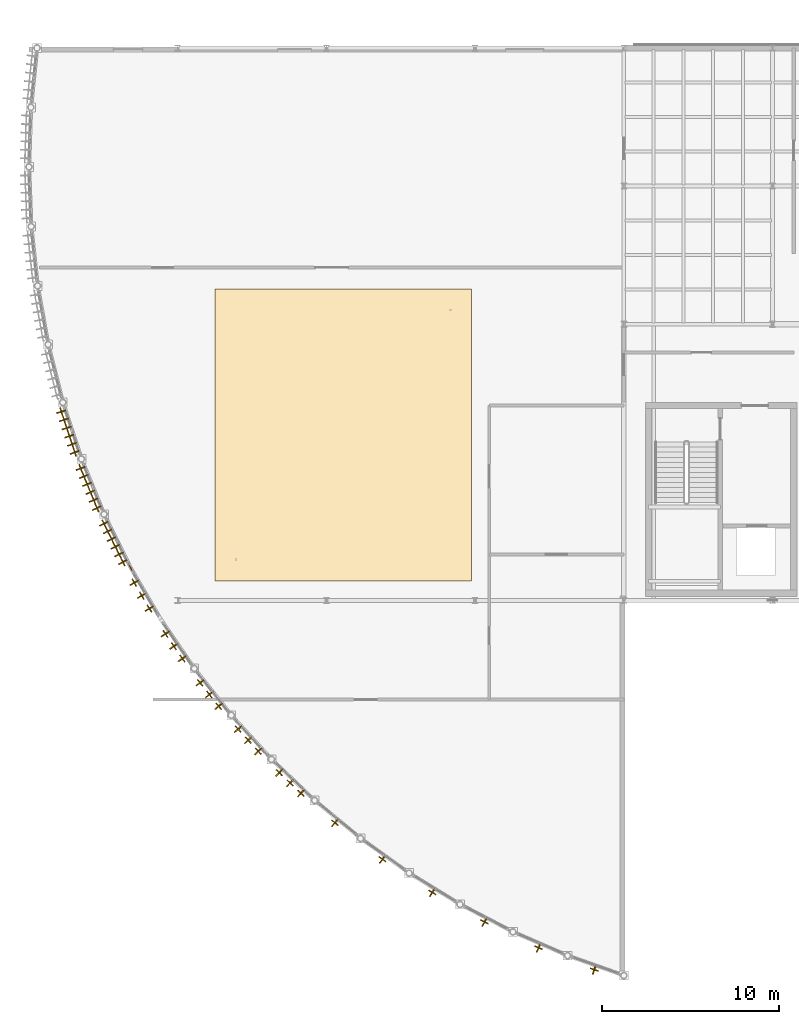
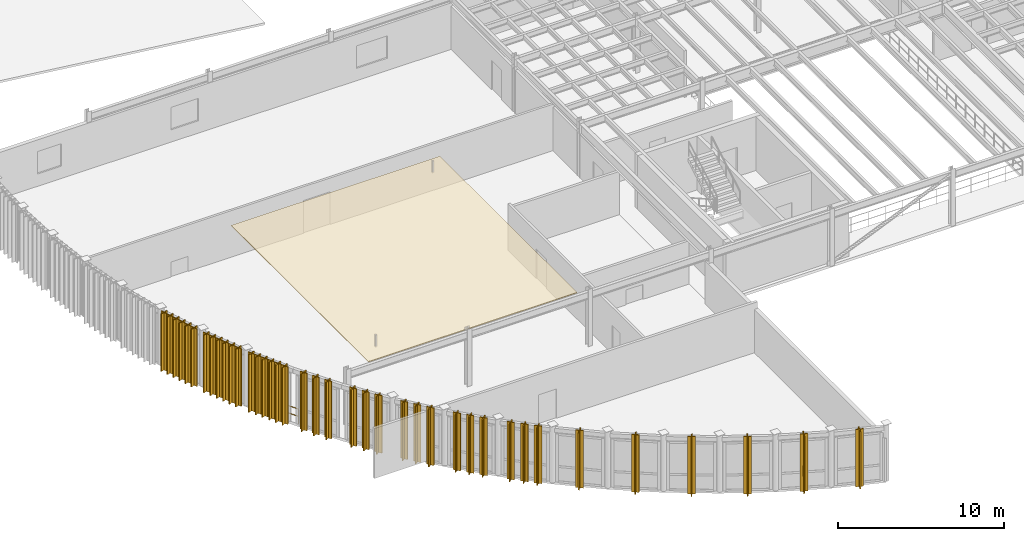
# One storey, part 23 of 26: 40 coverings, 39 shading devices, 1 railing.
"""IFC4 building model written with IfcOpenShell, lengths in metres."""

from ifc_helpers import new_model, si_unit, direction, frame, origin, origin_2d, place, context, subcontext, project, spatial, polyline, rectangle, circle, outline, extrude, material, layer, layer_set, material_profile, profile_set, type_object, element, save


model = new_model("IFC4")

# Units and contexts
model_context = context("Model", 3, precision=1e-05, world=origin(), true_north=direction((0.0, 1.0)))
body_context = subcontext(model_context, "Body", "Model", "MODEL_VIEW")
ifc_project = project(units=[si_unit("LENGTHUNIT", "METRE"), si_unit("AREAUNIT", "SQUARE_METRE"), si_unit("VOLUMEUNIT", "CUBIC_METRE"), si_unit("PLANEANGLEUNIT", "RADIAN"), si_unit("MASSUNIT", "GRAM", prefix="KILO")], contexts=[model_context])

# Site, building, storey
site_placement = place(None, origin())
site = spatial("IfcSite", under=ifc_project, at=site_placement, CompositionType="ELEMENT")
building_placement = place(site_placement, origin())
building = spatial("IfcBuilding", under=site, at=building_placement, Name="Selat Folded Stagehouse", CompositionType="ELEMENT")
storey_placement = place(building_placement, frame((0.0, 0.0, 23.39990234375)))
storey = spatial("IfcBuildingStorey", under=building, at=storey_placement, Name="L05", CompositionType="ELEMENT", Elevation=23.39990234375)

# Coverings
ifc_material_1 = material(Name="Acoustic perforated timber and mineral wool", Category="wood")
ifc_layer_1 = layer(ifc_material_1, 0.050048828125)
ifc_layer_set_1 = layer_set([ifc_layer_1], Name="Acoustic perforated timber and mineral wool")
covering_type_1 = type_object("IfcCoveringType", Name="COV-CEIL-AC50", PredefinedType="CEILING", material=ifc_layer_set_1)
covering_1_placement = place(storey_placement, frame((0.0, 0.0, 3.2001953125)))
element("IfcCovering", 1, at=covering_1_placement, inside=storey, type_object=covering_type_1, Name="L05 suspended acoustic ceiling CLG-L05-SKY", PredefinedType="CEILING", context=body_context, shape_type="SweptSolid", body=[
    extrude(outline(polyline([(10.5, 24.5), (25.0, 24.5), (25.0, 41.0), (10.5, 41.0), (10.5, 24.5)])), origin(), (0.0, 0.0, 1.0), 0.0498046875),
])
ifc_material_2 = material(Name="Bronze-anodised aluminium 6063-T6", Category="aluminium")
ifc_layer_2 = layer(ifc_material_2, 0.06005859375)
ifc_layer_set_2 = layer_set([ifc_layer_2], Name="Bronze-anodised aluminium 6063-T6")
covering_type_2 = type_object("IfcCoveringType", Name="COV-FIN-BRZ42", PredefinedType="CLADDING", material=ifc_layer_set_2)
covering_2_placement = place(storey_placement, frame((0.0, 0.0, -0.099853515625)))
element("IfcCovering", 2, at=covering_2_placement, inside=storey, type_object=covering_type_2, Name="L05 drum bronze fin cladding sheath 216", PredefinedType="CLADDING", context=body_context, shape_type="SweptSolid", body=[
    extrude(outline(polyline([(2.073486328125, 34.1630859375), (1.556640625, 34.007080078125), (1.5751953125, 33.94580078125), (2.092041015625, 34.101806640625), (2.073486328125, 34.1630859375)])), origin(), (0.0, 0.0, 1.0), 4.219970703125),
])
covering_3_placement = place(storey_placement, frame((0.0, 0.0, -0.099853515625)))
element("IfcCovering", 3, at=covering_3_placement, inside=storey, type_object=covering_type_2, Name="L05 drum bronze fin cladding sheath 222", PredefinedType="CLADDING", context=body_context, shape_type="SweptSolid", body=[
    extrude(outline(polyline([(2.223876953125, 33.706298828125), (1.70849609375, 33.544921875), (1.7275390625, 33.48388671875), (2.242919921875, 33.64501953125), (2.223876953125, 33.706298828125)])), origin(), (0.0, 0.0, 1.0), 4.219970703125),
])
covering_4_placement = place(storey_placement, frame((0.0, 0.0, -0.099853515625)))
element("IfcCovering", 4, at=covering_4_placement, inside=storey, type_object=covering_type_2, Name="L05 drum bronze fin cladding sheath 228", PredefinedType="CLADDING", context=body_context, shape_type="SweptSolid", body=[
    extrude(outline(polyline([(2.3740234375, 33.249267578125), (1.8603515625, 33.082763671875), (1.880126953125, 33.02197265625), (2.393798828125, 33.188232421875), (2.3740234375, 33.249267578125)])), origin(), (0.0, 0.0, 1.0), 4.219970703125),
])
covering_5_placement = place(storey_placement, frame((0.0, 0.0, -0.099853515625)))
element("IfcCovering", 5, at=covering_5_placement, inside=storey, type_object=covering_type_2, Name="L05 drum bronze fin cladding sheath 234", PredefinedType="CLADDING", context=body_context, shape_type="SweptSolid", body=[
    extrude(outline(polyline([(2.5244140625, 32.792236328125), (2.012451171875, 32.62060546875), (2.03271484375, 32.559814453125), (2.544921875, 32.7314453125), (2.5244140625, 32.792236328125)])), origin(), (0.0, 0.0, 1.0), 4.219970703125),
])
covering_6_placement = place(storey_placement, frame((0.0, 0.0, -0.099853515625)))
element("IfcCovering", 6, at=covering_6_placement, inside=storey, type_object=covering_type_2, Name="L05 drum bronze fin cladding sheath 240", PredefinedType="CLADDING", context=body_context, shape_type="SweptSolid", body=[
    extrude(outline(polyline([(2.6748046875, 32.335205078125), (2.16455078125, 32.158447265625), (2.185302734375, 32.097900390625), (2.69580078125, 32.274658203125), (2.6748046875, 32.335205078125)])), origin(), (0.0, 0.0, 1.0), 4.219970703125),
])
covering_7_placement = place(storey_placement, frame((0.0, 0.0, -0.099853515625)))
element("IfcCovering", 7, at=covering_7_placement, inside=storey, type_object=covering_type_2, Name="L05 drum bronze fin cladding sheath 246", PredefinedType="CLADDING", context=body_context, shape_type="SweptSolid", body=[
    extrude(outline(polyline([(2.824951171875, 31.878173828125), (2.31640625, 31.6962890625), (2.338134765625, 31.635986328125), (2.8466796875, 31.81787109375), (2.824951171875, 31.878173828125)])), origin(), (0.0, 0.0, 1.0), 4.219970703125),
])
covering_8_placement = place(storey_placement, frame((0.0, 0.0, -0.099853515625)))
element("IfcCovering", 8, at=covering_8_placement, inside=storey, type_object=covering_type_2, Name="L05 drum bronze fin cladding sheath 252", PredefinedType="CLADDING", context=body_context, shape_type="SweptSolid", body=[
    extrude(outline(polyline([(3.1572265625, 30.975830078125), (2.652587890625, 30.78369140625), (2.67529296875, 30.72412109375), (3.179931640625, 30.916015625), (3.1572265625, 30.975830078125)])), origin(), (0.0, 0.0, 1.0), 4.219970703125),
])
covering_9_placement = place(storey_placement, frame((0.0, 0.0, -0.099853515625)))
element("IfcCovering", 9, at=covering_9_placement, inside=storey, type_object=covering_type_2, Name="L05 drum bronze fin cladding sheath 258", PredefinedType="CLADDING", context=body_context, shape_type="SweptSolid", body=[
    extrude(outline(polyline([(3.339111328125, 30.530517578125), (2.83642578125, 30.33349609375), (2.85986328125, 30.27392578125), (3.362548828125, 30.470947265625), (3.339111328125, 30.530517578125)])), origin(), (0.0, 0.0, 1.0), 4.219970703125),
])
covering_10_placement = place(storey_placement, frame((0.0, 0.0, -0.099853515625)))
element("IfcCovering", 10, at=covering_10_placement, inside=storey, type_object=covering_type_2, Name="L05 drum bronze fin cladding sheath 264", PredefinedType="CLADDING", context=body_context, shape_type="SweptSolid", body=[
    extrude(outline(polyline([(3.521240234375, 30.085205078125), (3.0205078125, 29.883056640625), (3.04443359375, 29.82373046875), (3.545166015625, 30.02587890625), (3.521240234375, 30.085205078125)])), origin(), (0.0, 0.0, 1.0), 4.219970703125),
])
covering_11_placement = place(storey_placement, frame((0.0, 0.0, -0.099853515625)))
element("IfcCovering", 11, at=covering_11_placement, inside=storey, type_object=covering_type_2, Name="L05 drum bronze fin cladding sheath 270", PredefinedType="CLADDING", context=body_context, shape_type="SweptSolid", body=[
    extrude(outline(polyline([(3.703125, 29.639892578125), (3.20458984375, 29.4326171875), (3.22900390625, 29.37353515625), (3.727783203125, 29.580810546875), (3.703125, 29.639892578125)])), origin(), (0.0, 0.0, 1.0), 4.219970703125),
])
covering_12_placement = place(storey_placement, frame((0.0, 0.0, -0.099853515625)))
element("IfcCovering", 12, at=covering_12_placement, inside=storey, type_object=covering_type_2, Name="L05 drum bronze fin cladding sheath 276", PredefinedType="CLADDING", context=body_context, shape_type="SweptSolid", body=[
    extrude(outline(polyline([(3.885009765625, 29.194580078125), (3.388427734375, 28.982421875), (3.413818359375, 28.923583984375), (3.910400390625, 29.135498046875), (3.885009765625, 29.194580078125)])), origin(), (0.0, 0.0, 1.0), 4.219970703125),
])
covering_13_placement = place(storey_placement, frame((0.0, 0.0, -0.099853515625)))
element("IfcCovering", 13, at=covering_13_placement, inside=storey, type_object=covering_type_2, Name="L05 drum bronze fin cladding sheath 282", PredefinedType="CLADDING", context=body_context, shape_type="SweptSolid", body=[
    extrude(outline(polyline([(4.067138671875, 28.7490234375), (3.57275390625, 28.531982421875), (3.598388671875, 28.473388671875), (4.0927734375, 28.6904296875), (4.067138671875, 28.7490234375)])), origin(), (0.0, 0.0, 1.0), 4.219970703125),
])
covering_14_placement = place(storey_placement, frame((0.0, 0.0, -0.099853515625)))
element("IfcCovering", 14, at=covering_14_placement, inside=storey, type_object=covering_type_2, Name="L05 drum bronze fin cladding sheath 288", PredefinedType="CLADDING", context=body_context, shape_type="SweptSolid", body=[
    extrude(outline(polyline([(4.4619140625, 27.872314453125), (3.9716796875, 27.6455078125), (3.998779296875, 27.58740234375), (4.48876953125, 27.814208984375), (4.4619140625, 27.872314453125)])), origin(), (0.0, 0.0, 1.0), 4.219970703125),
])
covering_15_placement = place(storey_placement, frame((0.0, 0.0, -0.099853515625)))
element("IfcCovering", 15, at=covering_15_placement, inside=storey, type_object=covering_type_2, Name="L05 drum bronze fin cladding sheath 294", PredefinedType="CLADDING", context=body_context, shape_type="SweptSolid", body=[
    extrude(outline(polyline([(4.674560546875, 27.44091796875), (4.18701171875, 27.208984375), (4.21435546875, 27.151123046875), (4.7021484375, 27.383056640625), (4.674560546875, 27.44091796875)])), origin(), (0.0, 0.0, 1.0), 4.219970703125),
])
covering_16_placement = place(storey_placement, frame((0.0, 0.0, -0.099853515625)))
element("IfcCovering", 16, at=covering_16_placement, inside=storey, type_object=covering_type_2, Name="L05 drum bronze fin cladding sheath 300", PredefinedType="CLADDING", context=body_context, shape_type="SweptSolid", body=[
    extrude(outline(polyline([(4.887451171875, 27.00927734375), (4.402099609375, 26.772705078125), (4.43017578125, 26.715087890625), (4.915283203125, 26.951904296875), (4.887451171875, 27.00927734375)])), origin(), (0.0, 0.0, 1.0), 4.219970703125),
])
covering_17_placement = place(storey_placement, frame((0.0, 0.0, -0.099853515625)))
element("IfcCovering", 17, at=covering_17_placement, inside=storey, type_object=covering_type_2, Name="L05 drum bronze fin cladding sheath 306", PredefinedType="CLADDING", context=body_context, shape_type="SweptSolid", body=[
    extrude(outline(polyline([(5.10009765625, 26.577880859375), (4.6171875, 26.336181640625), (4.645751953125, 26.279052734375), (5.12890625, 26.5205078125), (5.10009765625, 26.577880859375)])), origin(), (0.0, 0.0, 1.0), 4.219970703125),
])
covering_18_placement = place(storey_placement, frame((0.0, 0.0, -0.099853515625)))
element("IfcCovering", 18, at=covering_18_placement, inside=storey, type_object=covering_type_2, Name="L05 drum bronze fin cladding sheath 312", PredefinedType="CLADDING", context=body_context, shape_type="SweptSolid", body=[
    extrude(outline(polyline([(5.31298828125, 26.146484375), (4.83251953125, 25.89990234375), (4.861572265625, 25.843017578125), (5.342041015625, 26.08935546875), (5.31298828125, 26.146484375)])), origin(), (0.0, 0.0, 1.0), 4.219970703125),
])
covering_19_placement = place(storey_placement, frame((0.0, 0.0, -0.099853515625)))
element("IfcCovering", 19, at=covering_19_placement, inside=storey, type_object=covering_type_2, Name="L05 drum bronze fin cladding sheath 318", PredefinedType="CLADDING", context=body_context, shape_type="SweptSolid", body=[
    extrude(outline(polyline([(5.525634765625, 25.71484375), (5.047607421875, 25.463623046875), (5.077392578125, 25.406982421875), (5.555419921875, 25.658203125), (5.525634765625, 25.71484375)])), origin(), (0.0, 0.0, 1.0), 4.219970703125),
])
covering_20_placement = place(storey_placement, frame((0.0, 0.0, -0.099853515625)))
element("IfcCovering", 20, at=covering_20_placement, inside=storey, type_object=covering_type_2, Name="L05 drum bronze fin cladding sheath 324", PredefinedType="CLADDING", context=body_context, shape_type="SweptSolid", body=[
    extrude(outline(polyline([(6.162841796875, 24.556396484375), (5.69189453125, 24.2919921875), (5.72314453125, 24.236083984375), (6.194091796875, 24.50048828125), (6.162841796875, 24.556396484375)])), origin(), (0.0, 0.0, 1.0), 4.219970703125),
])
covering_21_placement = place(storey_placement, frame((0.0, 0.0, -0.099853515625)))
element("IfcCovering", 21, at=covering_21_placement, inside=storey, type_object=covering_type_2, Name="L05 drum bronze fin cladding sheath 330", PredefinedType="CLADDING", context=body_context, shape_type="SweptSolid", body=[
    extrude(outline(polyline([(6.587158203125, 23.8291015625), (6.12109375, 23.556640625), (6.1533203125, 23.50146484375), (6.619384765625, 23.77392578125), (6.587158203125, 23.8291015625)])), origin(), (0.0, 0.0, 1.0), 4.219970703125),
])
covering_22_placement = place(storey_placement, frame((0.0, 0.0, -0.099853515625)))
element("IfcCovering", 22, at=covering_22_placement, inside=storey, type_object=covering_type_2, Name="L05 drum bronze fin cladding sheath 336", PredefinedType="CLADDING", context=body_context, shape_type="SweptSolid", body=[
    extrude(outline(polyline([(7.01171875, 23.10205078125), (6.55029296875, 22.8212890625), (6.58349609375, 22.7666015625), (7.044921875, 23.04736328125), (7.01171875, 23.10205078125)])), origin(), (0.0, 0.0, 1.0), 4.219970703125),
])
covering_23_placement = place(storey_placement, frame((0.0, 0.0, -0.099853515625)))
element("IfcCovering", 23, at=covering_23_placement, inside=storey, type_object=covering_type_2, Name="L05 drum bronze fin cladding sheath 342", PredefinedType="CLADDING", context=body_context, shape_type="SweptSolid", body=[
    extrude(outline(polyline([(7.910400390625, 21.679443359375), (7.458984375, 21.3828125), (7.494384765625, 21.329345703125), (7.945556640625, 21.6259765625), (7.910400390625, 21.679443359375)])), origin(), (0.0, 0.0, 1.0), 4.219970703125),
])
covering_24_placement = place(storey_placement, frame((0.0, 0.0, -0.099853515625)))
element("IfcCovering", 24, at=covering_24_placement, inside=storey, type_object=covering_type_2, Name="L05 drum bronze fin cladding sheath 348", PredefinedType="CLADDING", context=body_context, shape_type="SweptSolid", body=[
    extrude(outline(polyline([(8.384765625, 20.98388671875), (7.938720703125, 20.67919921875), (7.974853515625, 20.62646484375), (8.4208984375, 20.930908203125), (8.384765625, 20.98388671875)])), origin(), (0.0, 0.0, 1.0), 4.219970703125),
])
covering_25_placement = place(storey_placement, frame((0.0, 0.0, -0.099853515625)))
element("IfcCovering", 25, at=covering_25_placement, inside=storey, type_object=covering_type_2, Name="L05 drum bronze fin cladding sheath 354", PredefinedType="CLADDING", context=body_context, shape_type="SweptSolid", body=[
    extrude(outline(polyline([(8.85888671875, 20.288330078125), (8.41845703125, 19.97607421875), (8.45556640625, 19.923828125), (8.89599609375, 20.236083984375), (8.85888671875, 20.288330078125)])), origin(), (0.0, 0.0, 1.0), 4.219970703125),
])
covering_26_placement = place(storey_placement, frame((0.0, 0.0, -0.099853515625)))
element("IfcCovering", 26, at=covering_26_placement, inside=storey, type_object=covering_type_2, Name="L05 drum bronze fin cladding sheath 360", PredefinedType="CLADDING", context=body_context, shape_type="SweptSolid", body=[
    extrude(outline(polyline([(9.855224609375, 18.93212890625), (9.426025390625, 18.6044921875), (9.46484375, 18.5537109375), (9.89404296875, 18.88134765625), (9.855224609375, 18.93212890625)])), origin(), (0.0, 0.0, 1.0), 4.219970703125),
])
covering_27_placement = place(storey_placement, frame((0.0, 0.0, -0.099853515625)))
element("IfcCovering", 27, at=covering_27_placement, inside=storey, type_object=covering_type_2, Name="L05 drum bronze fin cladding sheath 366", PredefinedType="CLADDING", context=body_context, shape_type="SweptSolid", body=[
    extrude(outline(polyline([(10.377197265625, 18.271484375), (9.953857421875, 17.9365234375), (9.993408203125, 17.88623046875), (10.4169921875, 18.221435546875), (10.377197265625, 18.271484375)])), origin(), (0.0, 0.0, 1.0), 4.219970703125),
])
covering_28_placement = place(storey_placement, frame((0.0, 0.0, -0.099853515625)))
element("IfcCovering", 28, at=covering_28_placement, inside=storey, type_object=covering_type_2, Name="L05 drum bronze fin cladding sheath 372", PredefinedType="CLADDING", context=body_context, shape_type="SweptSolid", body=[
    extrude(outline(polyline([(10.899169921875, 17.611083984375), (10.481689453125, 17.2685546875), (10.522216796875, 17.218994140625), (10.939697265625, 17.5615234375), (10.899169921875, 17.611083984375)])), origin(), (0.0, 0.0, 1.0), 4.219970703125),
])
covering_29_placement = place(storey_placement, frame((0.0, 0.0, -0.099853515625)))
element("IfcCovering", 29, at=covering_29_placement, inside=storey, type_object=covering_type_2, Name="L05 drum bronze fin cladding sheath 378", PredefinedType="CLADDING", context=body_context, shape_type="SweptSolid", body=[
    extrude(outline(polyline([(11.98828125, 16.328125), (11.5830078125, 15.97119140625), (11.625244140625, 15.923095703125), (12.030517578125, 16.280029296875), (11.98828125, 16.328125)])), origin(), (0.0, 0.0, 1.0), 4.219970703125),
])
covering_30_placement = place(storey_placement, frame((0.0, 0.0, -0.099853515625)))
element("IfcCovering", 30, at=covering_30_placement, inside=storey, type_object=covering_type_2, Name="L05 drum bronze fin cladding sheath 384", PredefinedType="CLADDING", context=body_context, shape_type="SweptSolid", body=[
    extrude(outline(polyline([(12.555419921875, 15.705810546875), (12.15625, 15.341796875), (12.199462890625, 15.294677734375), (12.598388671875, 15.658447265625), (12.555419921875, 15.705810546875)])), origin(), (0.0, 0.0, 1.0), 4.219970703125),
])
covering_31_placement = place(storey_placement, frame((0.0, 0.0, -0.099853515625)))
element("IfcCovering", 31, at=covering_31_placement, inside=storey, type_object=covering_type_2, Name="L05 drum bronze fin cladding sheath 390", PredefinedType="CLADDING", context=body_context, shape_type="SweptSolid", body=[
    extrude(outline(polyline([(13.122314453125, 15.08349609375), (12.729736328125, 14.712646484375), (12.773681640625, 14.666015625), (13.166259765625, 15.037109375), (13.122314453125, 15.08349609375)])), origin(), (0.0, 0.0, 1.0), 4.219970703125),
])
covering_32_placement = place(storey_placement, frame((0.0, 0.0, -0.099853515625)))
element("IfcCovering", 32, at=covering_32_placement, inside=storey, type_object=covering_type_2, Name="L05 drum bronze fin cladding sheath 396", PredefinedType="CLADDING", context=body_context, shape_type="SweptSolid", body=[
    extrude(outline(polyline([(14.298583984375, 13.880126953125), (13.919189453125, 13.49560546875), (13.96484375, 13.45068359375), (14.343994140625, 13.835205078125), (14.298583984375, 13.880126953125)])), origin(), (0.0, 0.0, 1.0), 4.219970703125),
])
covering_33_placement = place(storey_placement, frame((0.0, 0.0, -0.099853515625)))
element("IfcCovering", 33, at=covering_33_placement, inside=storey, type_object=covering_type_2, Name="L05 drum bronze fin cladding sheath 402", PredefinedType="CLADDING", context=body_context, shape_type="SweptSolid", body=[
    extrude(outline(polyline([(14.90771484375, 13.299072265625), (14.535400390625, 12.908203125), (14.581787109375, 12.864013671875), (14.9541015625, 13.2548828125), (14.90771484375, 13.299072265625)])), origin(), (0.0, 0.0, 1.0), 4.219970703125),
])
covering_34_placement = place(storey_placement, frame((0.0, 0.0, -0.099853515625)))
element("IfcCovering", 34, at=covering_34_placement, inside=storey, type_object=covering_type_2, Name="L05 drum bronze fin cladding sheath 408", PredefinedType="CLADDING", context=body_context, shape_type="SweptSolid", body=[
    extrude(outline(polyline([(15.51708984375, 12.718017578125), (15.151611328125, 12.320556640625), (15.19873046875, 12.277099609375), (15.564208984375, 12.6748046875), (15.51708984375, 12.718017578125)])), origin(), (0.0, 0.0, 1.0), 4.219970703125),
])
covering_35_placement = place(storey_placement, frame((0.0, 0.0, -0.099853515625)))
element("IfcCovering", 35, at=covering_35_placement, inside=storey, type_object=covering_type_2, Name="L05 drum bronze fin cladding sheath 414", PredefinedType="CLADDING", context=body_context, shape_type="SweptSolid", body=[
    extrude(outline(polyline([(17.42333984375, 11.0634765625), (17.079345703125, 10.647216796875), (17.128662109375, 10.6064453125), (17.47265625, 11.022705078125), (17.42333984375, 11.0634765625)])), origin(), (0.0, 0.0, 1.0), 4.219970703125),
])
covering_36_placement = place(storey_placement, frame((0.0, 0.0, -0.099853515625)))
element("IfcCovering", 36, at=covering_36_placement, inside=storey, type_object=covering_type_2, Name="L05 drum bronze fin cladding sheath 418", PredefinedType="CLADDING", context=body_context, shape_type="SweptSolid", body=[
    extrude(outline(polyline([(20.089599609375, 9.009521484375), (19.775634765625, 8.5703125), (19.82763671875, 8.533203125), (20.1416015625, 8.972412109375), (20.089599609375, 9.009521484375)])), origin(), (0.0, 0.0, 1.0), 4.219970703125),
])
covering_37_placement = place(storey_placement, frame((0.0, 0.0, -0.099853515625)))
element("IfcCovering", 37, at=covering_37_placement, inside=storey, type_object=covering_type_2, Name="L05 drum bronze fin cladding sheath 422", PredefinedType="CLADDING", context=body_context, shape_type="SweptSolid", body=[
    extrude(outline(polyline([(22.893310546875, 7.147705078125), (22.61083984375, 6.6875), (22.665283203125, 6.654052734375), (22.94775390625, 7.114501953125), (22.893310546875, 7.147705078125)])), origin(), (0.0, 0.0, 1.0), 4.219970703125),
])
covering_38_placement = place(storey_placement, frame((0.0, 0.0, -0.099853515625)))
element("IfcCovering", 38, at=covering_38_placement, inside=storey, type_object=covering_type_2, Name="L05 drum bronze fin cladding sheath 426", PredefinedType="CLADDING", context=body_context, shape_type="SweptSolid", body=[
    extrude(outline(polyline([(25.82080078125, 5.4873046875), (25.5712890625, 5.00830078125), (25.6279296875, 4.97900390625), (25.87744140625, 5.457763671875), (25.82080078125, 5.4873046875)])), origin(), (0.0, 0.0, 1.0), 4.219970703125),
])
covering_39_placement = place(storey_placement, frame((0.0, 0.0, -0.099853515625)))
element("IfcCovering", 39, at=covering_39_placement, inside=storey, type_object=covering_type_2, Name="L05 drum bronze fin cladding sheath 430", PredefinedType="CLADDING", context=body_context, shape_type="SweptSolid", body=[
    extrude(outline(polyline([(28.857421875, 4.036376953125), (28.64208984375, 3.541015625), (28.70068359375, 3.515625), (28.916015625, 4.0107421875), (28.857421875, 4.036376953125)])), origin(), (0.0, 0.0, 1.0), 4.219970703125),
])
covering_40_placement = place(storey_placement, frame((0.0, 0.0, -0.099853515625)))
element("IfcCovering", 40, at=covering_40_placement, inside=storey, type_object=covering_type_2, Name="L05 drum bronze fin cladding sheath 434", PredefinedType="CLADDING", context=body_context, shape_type="SweptSolid", body=[
    extrude(outline(polyline([(31.98828125, 2.802001953125), (31.808349609375, 2.292724609375), (31.86865234375, 2.271484375), (32.048583984375, 2.780517578125), (31.98828125, 2.802001953125)])), origin(), (0.0, 0.0, 1.0), 4.219970703125),
])

# Railing
ifc_material_3 = material(Name="Bronze-anodised steel balustrade", Category="steel")
ifc_layer_3 = layer(ifc_material_3, 0.06494140625)
ifc_layer_set_3 = layer_set([ifc_layer_3], Name="Bronze-anodised steel balustrade")
railing_type = type_object("IfcRailingType", Name="RLG-BAL-1120", PredefinedType="BALUSTRADE", material=ifc_layer_set_3)
railing_placement = place(storey_placement, frame((5.89990234375, 24.949951171875, 0.0)))
element("IfcRailing", 41, at=railing_placement, inside=storey, type_object=railing_type, Name="L05 drum mullion step guard", PredefinedType="BALUSTRADE", context=body_context, shape_type="SweptSolid", body=[
    extrude(circle(Radius=0.02392578125, at=origin_2d()), frame((0.0, 0.0, 1.09619140625), z_axis=(-0.473863173151, 0.880598485765, 0.0), x_axis=(-0.880598485765, -0.473863173151, 0.0)), (0.0, 0.0, 1.0), 0.73828125),
    extrude(circle(Radius=0.02392578125, at=origin_2d()), frame((0.0, 0.0, 0.56005859375), z_axis=(-0.473863173151, 0.880598485765, 0.0), x_axis=(-0.880598485765, -0.473863173151, 0.0)), (0.0, 0.0, 1.0), 0.73828125),
    extrude(circle(Radius=0.02099609375, at=origin_2d()), origin(), (0.0, 0.0, 1.0), 1.072021484375),
    extrude(circle(Radius=0.02099609375, at=origin_2d()), frame((-0.349853515625, 0.650146484375, 0.0)), (0.0, 0.0, 1.0), 1.072021484375),
])

# Shading devices
ifc_material_profile = material_profile(ifc_material_2, rectangle(XDim=0.06005859375, YDim=0.47998046875, at=origin_2d()), Name="SOLAR-FIN 480x60")
ifc_profile_set = profile_set([ifc_material_profile], Name="Bronze-anodised aluminium 6063-T6")
shading_device_type = type_object("IfcShadingDeviceType", Name="SHD-FIN-480x60", PredefinedType="USERDEFINED", material=ifc_profile_set)
for number, where, z_axis, x_axis, name in (
    (42, (1.833984375, 34.057373046875, -0.099853515625), (0.0, 0.0, 1.0), (-0.957319497532, -0.289031796944, 0.0), "L05 drum vertical bronze solar fin 216"),
    (43, (1.9853515625, 33.597900390625, -0.099853515625), (0.0, 0.0, 1.0), (-0.954344655307, -0.298707681332, 0.0), "L05 drum vertical bronze solar fin 222"),
    (44, (2.13671875, 33.138671875, -0.099853515625), (0.0, 0.0, 1.0), (-0.951325822325, -0.308186923436, 0.0), "L05 drum vertical bronze solar fin 228"),
    (45, (2.2880859375, 32.67919921875, -0.099853515625), (0.0, 0.0, 1.0), (-0.94815738489, -0.317801153992, 0.0), "L05 drum vertical bronze solar fin 234"),
    (46, (2.439453125, 32.219970703125, -0.099853515625), (0.0, 0.0, 1.0), (-0.944948912158, -0.327217898979, 0.0), "L05 drum vertical bronze solar fin 240"),
    (47, (2.591064453125, 31.760498046875, -0.099853515625), (0.0, 0.0, 1.0), (-0.941588155895, -0.336766602676, 0.0), "L05 drum vertical bronze solar fin 246"),
    (48, (2.925537109375, 30.853515625, -0.099853515625), (0.0, 0.0, 1.0), (-0.93463961469, -0.355596387288, 0.0), "L05 drum vertical bronze solar fin 252"),
    (49, (3.10888671875, 30.40576171875, -0.099853515625), (0.0, 0.0, 1.0), (-0.931055815863, -0.364876784338, 0.0), "L05 drum vertical bronze solar fin 258"),
    (50, (3.2919921875, 29.958251953125, -0.099853515625), (0.0, 0.0, 1.0), (-0.927314560446, -0.374282922379, 0.0), "L05 drum vertical bronze solar fin 264"),
    (51, (3.475341796875, 29.510498046875, -0.099853515625), (0.0, 0.0, 1.0), (-0.923545226472, -0.383489523534, 0.0), "L05 drum vertical bronze solar fin 270"),
    (52, (3.65869140625, 29.06298828125, -0.099853515625), (0.0, 0.0, 1.0), (-0.91961594401, -0.392818680211, 0.0), "L05 drum vertical bronze solar fin 276"),
    (53, (3.841796875, 28.615234375, -0.099853515625), (0.0, 0.0, 1.0), (-0.91566259334, -0.401947776656, 0.0), "L05 drum vertical bronze solar fin 282"),
    (54, (4.239501953125, 27.73388671875, -0.099853515625), (0.0, 0.0, 1.0), (-0.907411091929, -0.420244107924, 0.0), "L05 drum vertical bronze solar fin 288"),
    (55, (4.45361328125, 27.30029296875, -0.099853515625), (0.0, 0.0, 1.0), (-0.903185511225, -0.429250430767, 0.0), "L05 drum vertical bronze solar fin 294"),
    (56, (4.667724609375, 26.86669921875, -0.099853515625), (0.0, 0.0, 1.0), (-0.898794046299, -0.438371146789, 0.0), "L05 drum vertical bronze solar fin 300"),
    (57, (4.8818359375, 26.432861328125, -0.099853515625), (0.0, 0.0, 1.0), (-0.89438856037, -0.447290848419, 0.0), "L05 drum vertical bronze solar fin 306"),
    (58, (5.09619140625, 25.999267578125, -0.099853515625), (0.0, 0.0, 1.0), (-0.889814927768, -0.4563215909, 0.0), "L05 drum vertical bronze solar fin 312"),
    (59, (5.310302734375, 25.565673828125, -0.099853515625), (0.0, 0.0, 1.0), (-0.885231311332, -0.465151078077, 0.0), "L05 drum vertical bronze solar fin 318"),
    (60, (5.951904296875, 24.401123046875, -0.099853515625), (0.0, 0.0, 1.0), (-0.872069272432, -0.489382451749, 0.0), "L05 drum vertical bronze solar fin 324"),
    (61, (6.37890625, 23.67041015625, -0.099853515625), (0.0, 0.0, 1.0), (-0.863307480775, -0.504678307081, 0.0), "L05 drum vertical bronze solar fin 330"),
    (62, (6.80615234375, 22.939697265625, -0.099853515625), (0.0, 0.0, 1.0), (-0.854368143929, -0.519668235165, 0.0), "L05 drum vertical bronze solar fin 336"),
    (63, (7.710693359375, 21.509765625, -0.099853515625), (0.0, 0.0, 1.0), (-0.835615665335, -0.549314536351, 0.0), "L05 drum vertical bronze solar fin 342"),
    (64, (8.18798828125, 20.810791015625, -0.099853515625), (0.0, 0.0, 1.0), (-0.82580311972, -0.563958515726, 0.0), "L05 drum vertical bronze solar fin 348"),
    (65, (8.665283203125, 20.11181640625, -0.099853515625), (0.0, 0.0, 1.0), (-0.815733970499, -0.578427255041, 0.0), "L05 drum vertical bronze solar fin 354"),
    (66, (9.66796875, 18.7490234375, -0.099853515625), (0.0, 0.0, 1.0), (-0.794944353388, -0.606682351002, 0.0), "L05 drum vertical bronze solar fin 360"),
    (67, (10.193115234375, 18.085205078125, -0.099853515625), (0.0, 0.0, 1.0), (-0.784235212544, -0.620463642292, 0.0), "L05 drum vertical bronze solar fin 366"),
    (68, (10.718505859375, 17.42138671875, -0.099853515625), (0.0, 0.0, 1.0), (-0.773176510644, -0.634190888762, 0.0), "L05 drum vertical bronze solar fin 372"),
    (69, (11.814208984375, 16.13232421875, -0.099853515625), (0.0, 0.0, 1.0), (-0.750457228874, -0.660919017453, 0.0), "L05 drum vertical bronze solar fin 378"),
    (70, (12.384765625, 15.5068359375, -0.099853515625), (0.0, 0.0, 1.0), (-0.738690671568, -0.674044576967, 0.0), "L05 drum vertical bronze solar fin 384"),
    (71, (12.955322265625, 14.881591796875, -0.099853515625), (0.0, 0.0, 1.0), (-0.726814465487, -0.686833846544, 0.0), "L05 drum vertical bronze solar fin 390"),
    (72, (14.138916015625, 13.672607421875, -0.099853515625), (0.0, 0.0, 1.0), (-0.702277314289, -0.711903486321, 0.0), "L05 drum vertical bronze solar fin 396"),
    (73, (14.751708984375, 13.0888671875, -0.099853515625), (0.0, 0.0, 1.0), (-0.689619543736, -0.724171861437, 0.0), "L05 drum vertical bronze solar fin 402"),
    (74, (15.36474609375, 12.5048828125, -0.099853515625), (0.0, 0.0, 1.0), (-0.676875969683, -0.73609708712, 0.0), "L05 drum vertical bronze solar fin 408"),
    (75, (17.282470703125, 10.842529296875, -0.099853515625), (0.0, 0.0, 1.0), (-0.63715499106, -0.770735698776, 0.0), "L05 drum vertical bronze solar fin 414"),
    (76, (19.96435546875, 8.779541015625, -0.099853515625), (0.0, 0.0, 1.0), (-0.581555176926, -0.813506961366, 0.0), "L05 drum vertical bronze solar fin 418"),
    (77, (22.78466796875, 6.909423828125, -0.099853515625), (0.0, 0.0, 1.0), (-0.523093692466, -0.852275183789, 0.0), "L05 drum vertical bronze solar fin 422"),
    (78, (25.72900390625, 5.241943359375, -0.099853515625), (0.0, 0.0, 1.0), (-0.461903418797, -0.886930229333, 0.0), "L05 drum vertical bronze solar fin 426"),
    (79, (28.782958984375, 3.78515625, -0.099853515625), (0.0, 0.0, 1.0), (-0.398589005675, -0.917129655259, 0.0), "L05 drum vertical bronze solar fin 430"),
    (80, (31.931884765625, 2.546142578125, -0.099853515625), (0.0, 0.0, 1.0), (-0.333313247568, -0.942816142732, 0.0), "L05 drum vertical bronze solar fin 434"),
):
    element("IfcShadingDevice", number, at=place(storey_placement, frame(where, z_axis=z_axis, x_axis=x_axis)), inside=storey, type_object=shading_device_type, Name=name, ObjectType="FIN", PredefinedType="USERDEFINED", context=body_context, shape_type="SweptSolid", body=[
        extrude(rectangle(XDim=0.06005859375, YDim=0.47998046875, at=origin_2d()), origin(), (0.0, 0.0, 1.0), 4.219970703125),
    ])

save(model, "model.ifc")
